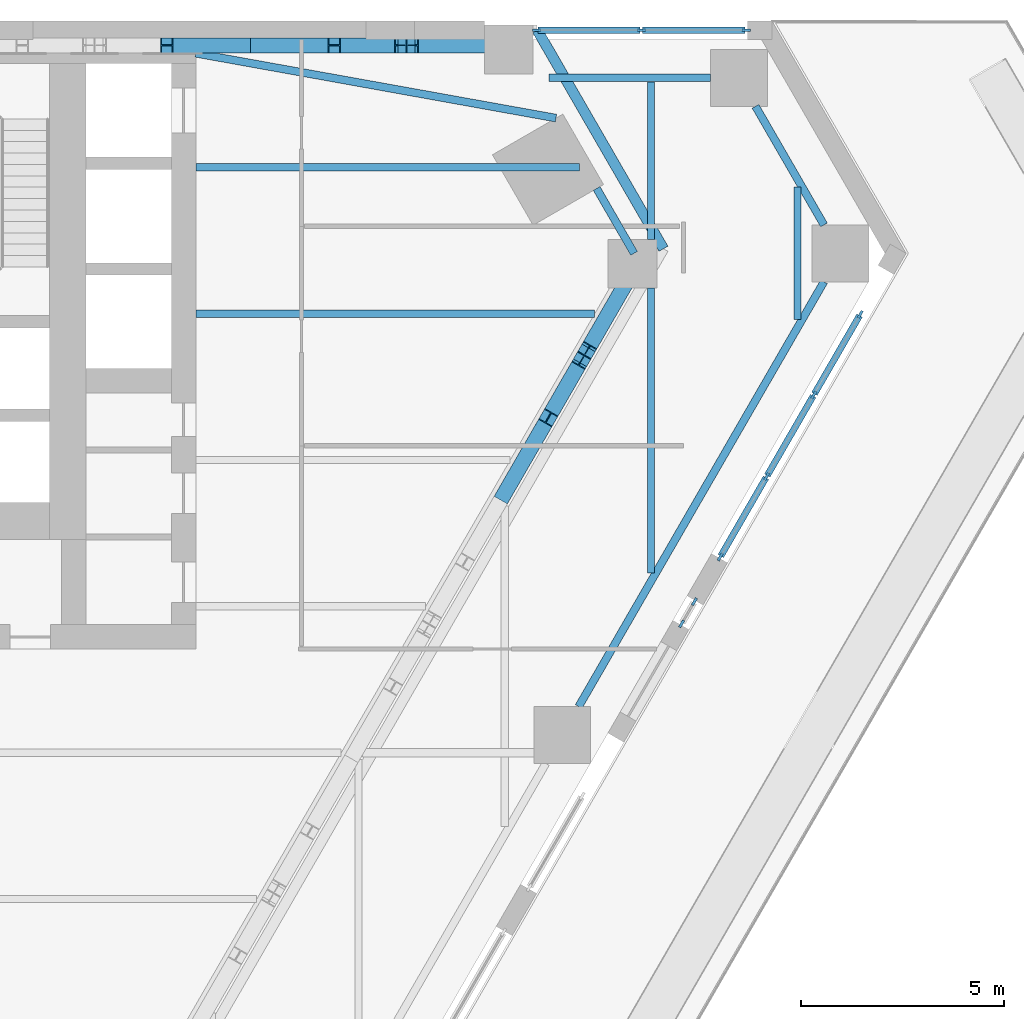
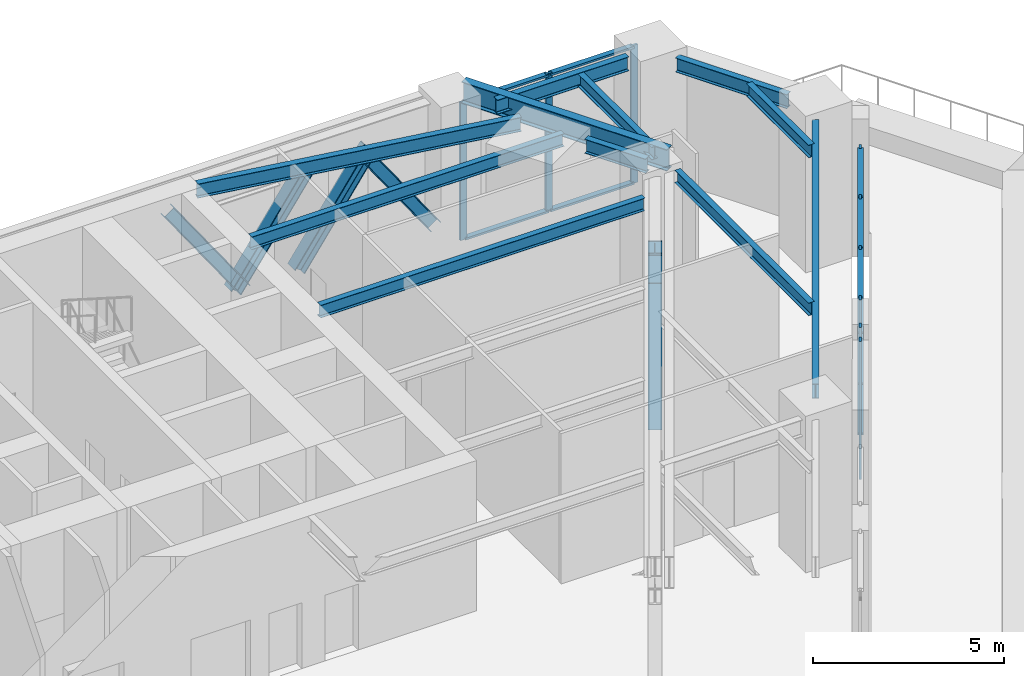
# One storey, part 10 of 25: 26 members, 11 beams, 3 elements without a shape of their own.
"""IFC4 building model written with IfcOpenShell, lengths in metres."""

from ifc_helpers import new_model, si_unit, direction, frame, origin, origin_2d, place, context, subcontext, project, spatial, rectangle, i_section, extrude, material, material_profile, profile_set, type_object, element, aggregate, save


model = new_model("IFC4")

# Units and contexts
model_context = context("Model", 3, precision=1e-05, world=origin(), true_north=direction((0.0, 1.0)))
body_context = subcontext(model_context, "Body", "Model", "MODEL_VIEW")
ifc_project = project(units=[si_unit("LENGTHUNIT", "METRE"), si_unit("AREAUNIT", "SQUARE_METRE"), si_unit("VOLUMEUNIT", "CUBIC_METRE"), si_unit("PLANEANGLEUNIT", "RADIAN"), si_unit("MASSUNIT", "GRAM", prefix="KILO")], contexts=[model_context])

# Site, building, storey
site_placement = place(None, origin())
site = spatial("IfcSite", under=ifc_project, at=site_placement, CompositionType="ELEMENT")
building_placement = place(site_placement, origin())
building = spatial("IfcBuilding", under=site, at=building_placement, Name="Aloe Facet Convention Tower", CompositionType="ELEMENT")
storey_placement = place(building_placement, frame((0.0, 0.0, 30.0)))
storey = spatial("IfcBuildingStorey", under=building, at=storey_placement, Name="L05", CompositionType="ELEMENT", Elevation=30.0)

# Beam
ifc_material_1 = material(Name="Steel S355", Category="steel")
ifc_material_profile_1 = material_profile(ifc_material_1, i_section(OverallWidth=0.25439453125, OverallDepth=0.6875, WebThickness=0.01318359375, FlangeThickness=0.02099609375, FilletRadius=0.01513671875, at=origin_2d()), Name="UB 686x254x152")
ifc_profile_set_1 = profile_set([ifc_material_profile_1], Name="Steel S355")
beam_type_1 = type_object("IfcBeamType", Name="EV-EB-UB686x254x152", PredefinedType="BEAM", material=ifc_profile_set_1)
beam_1_placement = place(storey_placement, frame((105.505126953125, 129.396728515625, 4.456298828125), z_axis=(-0.500016243463, 0.866016025414, 0.0), x_axis=(-0.866016025414, -0.500016243463, 0.0)))
element("IfcBeam", 1, at=beam_1_placement, inside=storey, type_object=beam_type_1, Name="EB-L06-C", PredefinedType="BEAM", context=body_context, shape_type="SweptSolid", body=[
    extrude(i_section(OverallWidth=0.25439453125, OverallDepth=0.6875, WebThickness=0.01318359375, FlangeThickness=0.02099609375, FilletRadius=0.01513671875, at=origin_2d()), origin(), (0.0, 0.0, 1.0), 6.210205078125),
])

# Curtain wall, members
ifc_material_2 = material(Name="Aluminium, anodised", Category="aluminium")
curtain_wall_type = type_object("IfcCurtainWallType", Name="EV-CW-HALL", PredefinedType="USERDEFINED", material=ifc_material_2)
curtain_wall_1_placement = place(storey_placement, origin())
curtain_wall_1 = element("IfcCurtainWall", 2, at=curtain_wall_1_placement, inside=storey, type_object=curtain_wall_type, Name="CW-L05-N02", ObjectType="UNITISED HALL GLAZING", PredefinedType="USERDEFINED")
ifc_material_3 = material(Name="Aluminium, anodised", Category="aluminium")
ifc_material_profile_2 = material_profile(ifc_material_3, rectangle(XDim=0.06494140625, YDim=0.199951171875, at=origin_2d()), Name="AL 65x200")
ifc_profile_set_2 = profile_set([ifc_material_profile_2], Name="Aluminium, anodised")
member_type_1 = type_object("IfcMemberType", Name="EV-MULL-HALL", PredefinedType="MULLION", material=ifc_profile_set_2)
member_1_placement = place(storey_placement, frame((107.541015625, 134.77490234375, -0.300048828125), z_axis=(0.0, 0.0, 1.0), x_axis=(0.0, -1.0, 0.0)))
member_1 = element("IfcMember", 3, at=member_1_placement, type_object=member_type_1, Name="CW-L05-N02 mullion 1", PredefinedType="MULLION", context=body_context, shape_type="SweptSolid", body=[
    extrude(rectangle(XDim=0.06494140625, YDim=0.199951171875, at=origin_2d()), origin(), (0.0, 0.0, 1.0), 4.41259765625),
])
member_2_placement = place(storey_placement, frame((104.961669921875, 134.77490234375, -0.300048828125), z_axis=(0.0, 0.0, 1.0), x_axis=(0.0, -1.0, 0.0)))
member_2 = element("IfcMember", 4, at=member_2_placement, type_object=member_type_1, Name="CW-L05-N02 mullion 2", PredefinedType="MULLION", context=body_context, shape_type="SweptSolid", body=[
    extrude(rectangle(XDim=0.06494140625, YDim=0.199951171875, at=origin_2d()), origin(), (0.0, 0.0, 1.0), 4.41259765625),
])
member_3_placement = place(storey_placement, frame((102.382568359375, 134.77490234375, -0.300048828125), z_axis=(0.0, 0.0, 1.0), x_axis=(0.0, -1.0, 0.0)))
member_3 = element("IfcMember", 5, at=member_3_placement, type_object=member_type_1, Name="CW-L05-N02 mullion 3", PredefinedType="MULLION", context=body_context, shape_type="SweptSolid", body=[
    extrude(rectangle(XDim=0.06494140625, YDim=0.199951171875, at=origin_2d()), origin(), (0.0, 0.0, 1.0), 4.41259765625),
])

curtain_wall_2_placement = place(storey_placement, origin())
curtain_wall_2 = element("IfcCurtainWall", 6, at=curtain_wall_2_placement, inside=storey, type_object=curtain_wall_type, Name="CW-L05-E10B", ObjectType="UNITISED HALL GLAZING", PredefinedType="USERDEFINED")
member_4_placement = place(storey_placement, frame((105.951416015625, 120.169921875, -0.300048828125), z_axis=(0.0, 0.0, 1.0), x_axis=(-0.86602540354, 0.500000000423, 0.0)))
member_4 = element("IfcMember", 7, at=member_4_placement, type_object=member_type_1, Name="CW-L05-E10B mullion 1", PredefinedType="MULLION", context=body_context, shape_type="SweptSolid", body=[
    extrude(rectangle(XDim=0.06494140625, YDim=0.199951171875, at=origin_2d()), origin(), (0.0, 0.0, 1.0), 4.41259765625),
])
member_5_placement = place(storey_placement, frame((106.266845703125, 120.716064453125, -0.300048828125), z_axis=(0.0, 0.0, 1.0), x_axis=(-0.86602540354, 0.500000000423, 0.0)))
member_5 = element("IfcMember", 8, at=member_5_placement, type_object=member_type_1, Name="CW-L05-E10B mullion 2", PredefinedType="MULLION", context=body_context, shape_type="SweptSolid", body=[
    extrude(rectangle(XDim=0.06494140625, YDim=0.199951171875, at=origin_2d()), origin(), (0.0, 0.0, 1.0), 4.41259765625),
])
aggregate(curtain_wall_2, [member_4, member_5])

curtain_wall_3_placement = place(storey_placement, origin())
curtain_wall_3 = element("IfcCurtainWall", 9, at=curtain_wall_3_placement, inside=storey, type_object=curtain_wall_type, Name="CW-L05-E12", ObjectType="UNITISED HALL GLAZING", PredefinedType="USERDEFINED")
member_6_placement = place(storey_placement, frame((106.8994140625, 121.8115234375, -0.300048828125), z_axis=(0.0, 0.0, 1.0), x_axis=(-0.866025403741, 0.500000000076, 0.0)))
member_6 = element("IfcMember", 10, at=member_6_placement, type_object=member_type_1, Name="CW-L05-E12 mullion 1", PredefinedType="MULLION", context=body_context, shape_type="SweptSolid", body=[
    extrude(rectangle(XDim=0.06494140625, YDim=0.199951171875, at=origin_2d()), origin(), (0.0, 0.0, 1.0), 4.41259765625),
])
member_7_placement = place(storey_placement, frame((108.042724609375, 123.7919921875, -0.300048828125), z_axis=(0.0, 0.0, 1.0), x_axis=(-0.866025403741, 0.500000000076, 0.0)))
member_7 = element("IfcMember", 11, at=member_7_placement, type_object=member_type_1, Name="CW-L05-E12 mullion 2", PredefinedType="MULLION", context=body_context, shape_type="SweptSolid", body=[
    extrude(rectangle(XDim=0.06494140625, YDim=0.199951171875, at=origin_2d()), origin(), (0.0, 0.0, 1.0), 4.41259765625),
])
member_8_placement = place(storey_placement, frame((109.202392578125, 125.80078125, -0.300048828125), z_axis=(0.0, 0.0, 1.0), x_axis=(-0.866025403741, 0.500000000076, 0.0)))
member_8 = element("IfcMember", 12, at=member_8_placement, type_object=member_type_1, Name="CW-L05-E12 mullion 3", PredefinedType="MULLION", context=body_context, shape_type="SweptSolid", body=[
    extrude(rectangle(XDim=0.06494140625, YDim=0.199951171875, at=origin_2d()), origin(), (0.0, 0.0, 1.0), 4.41259765625),
])
member_9_placement = place(storey_placement, frame((110.345947265625, 127.78125, -0.300048828125), z_axis=(0.0, 0.0, 1.0), x_axis=(-0.866025403741, 0.500000000076, 0.0)))
member_9 = element("IfcMember", 13, at=member_9_placement, type_object=member_type_1, Name="CW-L05-E12 mullion 4", PredefinedType="MULLION", context=body_context, shape_type="SweptSolid", body=[
    extrude(rectangle(XDim=0.06494140625, YDim=0.199951171875, at=origin_2d()), origin(), (0.0, 0.0, 1.0), 4.41259765625),
])

# Member
ifc_material_4 = material(Name="Aluminium, anodised", Category="aluminium")
ifc_material_profile_3 = material_profile(ifc_material_4, rectangle(XDim=0.159912109375, YDim=0.06494140625, at=origin_2d()), Name="AL 160x65")
ifc_profile_set_3 = profile_set([ifc_material_profile_3], Name="Aluminium, anodised")
member_type_2 = type_object("IfcMemberType", Name="EV-TRAN-HALL", PredefinedType="USERDEFINED", material=ifc_profile_set_3)
member_10_placement = place(storey_placement, frame((107.508544921875, 134.77490234375, -0.267578125), z_axis=(-1.0, 0.0, 0.0), x_axis=(0.0, -1.0, 0.0)))
member_10 = element("IfcMember", 14, at=member_10_placement, type_object=member_type_2, Name="CW-L05-N02 transom 1.1", ObjectType="TRANSOM", PredefinedType="USERDEFINED", context=body_context, shape_type="SweptSolid", body=[
    extrude(rectangle(XDim=0.159912109375, YDim=0.06494140625, at=origin_2d()), origin(), (0.0, 0.0, 1.0), 2.514404296875),
])

member_11_placement = place(storey_placement, frame((107.508544921875, 134.77490234375, 4.080078125), z_axis=(-1.0, 0.0, 0.0), x_axis=(0.0, -1.0, 0.0)))
member_11 = element("IfcMember", 15, at=member_11_placement, type_object=member_type_2, Name="CW-L05-N02 transom 1.2", ObjectType="TRANSOM", PredefinedType="USERDEFINED", context=body_context, shape_type="SweptSolid", body=[
    extrude(rectangle(XDim=0.159912109375, YDim=0.06494140625, at=origin_2d()), origin(), (0.0, 0.0, 1.0), 2.514404296875),
])

member_12_placement = place(storey_placement, frame((104.92919921875, 134.77490234375, -0.267578125), z_axis=(-1.0, 0.0, 0.0), x_axis=(0.0, -1.0, 0.0)))
member_12 = element("IfcMember", 16, at=member_12_placement, type_object=member_type_2, Name="CW-L05-N02 transom 2.1", ObjectType="TRANSOM", PredefinedType="USERDEFINED", context=body_context, shape_type="SweptSolid", body=[
    extrude(rectangle(XDim=0.159912109375, YDim=0.06494140625, at=origin_2d()), origin(), (0.0, 0.0, 1.0), 2.51416015625),
])

member_13_placement = place(storey_placement, frame((104.92919921875, 134.77490234375, 4.080078125), z_axis=(-1.0, 0.0, 0.0), x_axis=(0.0, -1.0, 0.0)))
member_13 = element("IfcMember", 17, at=member_13_placement, type_object=member_type_2, Name="CW-L05-N02 transom 2.2", ObjectType="TRANSOM", PredefinedType="USERDEFINED", context=body_context, shape_type="SweptSolid", body=[
    extrude(rectangle(XDim=0.159912109375, YDim=0.06494140625, at=origin_2d()), origin(), (0.0, 0.0, 1.0), 2.51416015625),
])

aggregate(curtain_wall_1, [member_1, member_2, member_3, member_10, member_11, member_12, member_13])

member_14_placement = place(storey_placement, frame((106.91552734375, 121.839599609375, -0.267578125), z_axis=(0.500026795713, 0.86600993272, 0.0), x_axis=(-0.86600993272, 0.500026795713, 0.0)))
member_14 = element("IfcMember", 18, at=member_14_placement, type_object=member_type_2, Name="CW-L05-E12 transom 1.1", ObjectType="TRANSOM", PredefinedType="USERDEFINED", context=body_context, shape_type="SweptSolid", body=[
    extrude(rectangle(XDim=0.159912109375, YDim=0.06494140625, at=origin_2d()), origin(), (0.0, 0.0, 1.0), 2.22216796875),
])

member_15_placement = place(storey_placement, frame((106.91552734375, 121.839599609375, 4.080078125), z_axis=(0.500026795713, 0.86600993272, 0.0), x_axis=(-0.86600993272, 0.500026795713, 0.0)))
member_15 = element("IfcMember", 19, at=member_15_placement, type_object=member_type_2, Name="CW-L05-E12 transom 1.2", ObjectType="TRANSOM", PredefinedType="USERDEFINED", context=body_context, shape_type="SweptSolid", body=[
    extrude(rectangle(XDim=0.159912109375, YDim=0.06494140625, at=origin_2d()), origin(), (0.0, 0.0, 1.0), 2.22216796875),
])

member_16_placement = place(storey_placement, frame((108.05908203125, 123.820068359375, -0.267578125), z_axis=(0.499994306202, 0.866028691075, 0.0), x_axis=(-0.866028691075, 0.499994306202, 0.0)))
member_16 = element("IfcMember", 20, at=member_16_placement, type_object=member_type_2, Name="CW-L05-E12 transom 2.1", ObjectType="TRANSOM", PredefinedType="USERDEFINED", context=body_context, shape_type="SweptSolid", body=[
    extrude(rectangle(XDim=0.159912109375, YDim=0.06494140625, at=origin_2d()), origin(), (0.0, 0.0, 1.0), 2.25439453125),
])

member_17_placement = place(storey_placement, frame((108.05908203125, 123.820068359375, 4.080078125), z_axis=(0.499994306202, 0.866028691075, 0.0), x_axis=(-0.866028691075, 0.499994306202, 0.0)))
member_17 = element("IfcMember", 21, at=member_17_placement, type_object=member_type_2, Name="CW-L05-E12 transom 2.2", ObjectType="TRANSOM", PredefinedType="USERDEFINED", context=body_context, shape_type="SweptSolid", body=[
    extrude(rectangle(XDim=0.159912109375, YDim=0.06494140625, at=origin_2d()), origin(), (0.0, 0.0, 1.0), 2.25439453125),
])

member_18_placement = place(storey_placement, frame((109.21875, 125.828857421875, -0.267578125), z_axis=(0.499991966744, 0.866030041738, 0.0), x_axis=(-0.866030041738, 0.499991966744, 0.0)))
member_18 = element("IfcMember", 22, at=member_18_placement, type_object=member_type_2, Name="CW-L05-E12 transom 3.1", ObjectType="TRANSOM", PredefinedType="USERDEFINED", context=body_context, shape_type="SweptSolid", body=[
    extrude(rectangle(XDim=0.159912109375, YDim=0.06494140625, at=origin_2d()), origin(), (0.0, 0.0, 1.0), 2.2216796875),
])

member_19_placement = place(storey_placement, frame((109.21875, 125.828857421875, 4.080078125), z_axis=(0.499991966744, 0.866030041738, 0.0), x_axis=(-0.866030041738, 0.499991966744, 0.0)))
member_19 = element("IfcMember", 23, at=member_19_placement, type_object=member_type_2, Name="CW-L05-E12 transom 3.2", ObjectType="TRANSOM", PredefinedType="USERDEFINED", context=body_context, shape_type="SweptSolid", body=[
    extrude(rectangle(XDim=0.159912109375, YDim=0.06494140625, at=origin_2d()), origin(), (0.0, 0.0, 1.0), 2.2216796875),
])

aggregate(curtain_wall_3, [member_6, member_7, member_8, member_9, member_14, member_15, member_16, member_17, member_18, member_19])

# Beams
ifc_material_5 = material(Name="Steel S355", Category="steel")
ifc_material_profile_4 = material_profile(ifc_material_5, i_section(OverallWidth=0.177734375, OverallDepth=0.402587890625, WebThickness=0.0078125, FlangeThickness=0.010986328125, FilletRadius=0.01025390625, at=origin_2d()), Name="UB 406x178x54")
ifc_profile_set_4 = profile_set([ifc_material_profile_4], Name="Steel S355")
beam_type_2 = type_object("IfcBeamType", Name="SF-B-UB406x178x54", PredefinedType="BEAM", material=ifc_profile_set_4)
beam_2_placement = place(storey_placement, frame((105.199951171875, 121.418212890625, 4.5986328125), z_axis=(0.0, 1.0, 0.0), x_axis=(-1.0, 0.0, 0.0)))
element("IfcBeam", 24, at=beam_2_placement, inside=storey, type_object=beam_type_2, Name="Floor beam FB-L06-838", PredefinedType="BEAM", context=body_context, shape_type="SweptSolid", body=[
    extrude(i_section(OverallWidth=0.177734375, OverallDepth=0.402587890625, WebThickness=0.0078125, FlangeThickness=0.010986328125, FilletRadius=0.01025390625, at=origin_2d()), origin(), (0.0, 0.0, 1.0), 7.009765625),
])
beam_3_placement = place(storey_placement, frame((105.199951171875, 129.6279296875, 4.5986328125), z_axis=(0.0, 1.0, 0.0), x_axis=(-1.0, 0.0, 0.0)))
element("IfcBeam", 25, at=beam_3_placement, inside=storey, type_object=beam_type_2, Name="Floor beam FB-L06-839", PredefinedType="BEAM", context=body_context, shape_type="SweptSolid", body=[
    extrude(i_section(OverallWidth=0.177734375, OverallDepth=0.402587890625, WebThickness=0.0078125, FlangeThickness=0.010986328125, FilletRadius=0.01025390625, at=origin_2d()), origin(), (0.0, 0.0, 1.0), 3.8671875),
])
beam_4_placement = place(storey_placement, frame((108.800048828125, 127.653564453125, 4.5986328125), z_axis=(0.0, 1.0, 0.0), x_axis=(-1.0, 0.0, 0.0)))
element("IfcBeam", 26, at=beam_4_placement, inside=storey, type_object=beam_type_2, Name="Floor beam FB-L06-840", PredefinedType="BEAM", context=body_context, shape_type="SweptSolid", body=[
    extrude(i_section(OverallWidth=0.177734375, OverallDepth=0.402587890625, WebThickness=0.0078125, FlangeThickness=0.010986328125, FilletRadius=0.01025390625, at=origin_2d()), origin(), (0.0, 0.0, 1.0), 3.261474609375),
])
beam_5_placement = place(storey_placement, frame((94.0, 127.800048828125, 4.5986328125), z_axis=(1.0, 0.0, 0.0), x_axis=(0.0, 1.0, 0.0)))
element("IfcBeam", 27, at=beam_5_placement, inside=storey, type_object=beam_type_2, Name="Floor beam FB-Z1A-047", PredefinedType="BEAM", context=body_context, shape_type="SweptSolid", body=[
    extrude(i_section(OverallWidth=0.177734375, OverallDepth=0.402587890625, WebThickness=0.0078125, FlangeThickness=0.010986328125, FilletRadius=0.01025390625, at=origin_2d()), origin(), (0.0, 0.0, 1.0), 9.805419921875),
])
beam_6_placement = place(storey_placement, frame((94.0, 131.39990234375, 4.5986328125), z_axis=(1.0, 0.0, 0.0), x_axis=(0.0, 1.0, 0.0)))
element("IfcBeam", 28, at=beam_6_placement, inside=storey, type_object=beam_type_2, Name="Floor beam FB-Z1A-048", PredefinedType="BEAM", context=body_context, shape_type="SweptSolid", body=[
    extrude(i_section(OverallWidth=0.177734375, OverallDepth=0.402587890625, WebThickness=0.0078125, FlangeThickness=0.010986328125, FilletRadius=0.01025390625, at=origin_2d()), origin(), (0.0, 0.0, 1.0), 9.44091796875),
])
ifc_material_6 = material(Name="Steel S355", Category="steel")
ifc_material_profile_5 = material_profile(ifc_material_6, i_section(OverallWidth=0.18994140625, OverallDepth=0.453369140625, WebThickness=0.008544921875, FlangeThickness=0.0126953125, FilletRadius=0.01025390625, at=origin_2d()), Name="UB 457x191x67")
ifc_profile_set_5 = profile_set([ifc_material_profile_5], Name="Steel S355")
beam_type_3 = type_object("IfcBeamType", Name="SF-B-UB457x191x67", PredefinedType="BEAM", material=ifc_profile_set_5)
beam_7_placement = place(storey_placement, frame((102.69189453125, 133.60009765625, 4.5732421875), z_axis=(1.0, 0.0, 0.0), x_axis=(0.0, 1.0, 0.0)))
element("IfcBeam", 29, at=beam_7_placement, inside=storey, type_object=beam_type_3, Name="Floor beam FB-L06-811", PredefinedType="BEAM", context=body_context, shape_type="SweptSolid", body=[
    extrude(i_section(OverallWidth=0.18994140625, OverallDepth=0.453369140625, WebThickness=0.008544921875, FlangeThickness=0.0126953125, FilletRadius=0.01025390625, at=origin_2d()), origin(), (0.0, 0.0, 1.0), 3.97314453125),
])
beam_8_placement = place(storey_placement, frame((107.769287109375, 132.89990234375, 4.5732421875), z_axis=(0.500006981563, -0.86602137294, 0.0), x_axis=(0.86602137294, 0.500006981563, 0.0)))
element("IfcBeam", 30, at=beam_8_placement, inside=storey, type_object=beam_type_3, Name="Floor beam FB-L06-812", PredefinedType="BEAM", context=body_context, shape_type="SweptSolid", body=[
    extrude(i_section(OverallWidth=0.18994140625, OverallDepth=0.453369140625, WebThickness=0.008544921875, FlangeThickness=0.0126953125, FilletRadius=0.01025390625, at=origin_2d()), origin(), (0.0, 0.0, 1.0), 3.3671875),
])
beam_9_placement = place(storey_placement, frame((109.45263671875, 128.583984375, 4.5732421875), z_axis=(-0.49999978494, -0.86602552795, 0.0), x_axis=(0.86602552795, -0.49999978494, 0.0)))
element("IfcBeam", 31, at=beam_9_placement, inside=storey, type_object=beam_type_3, Name="Floor beam FB-L06-813", PredefinedType="BEAM", context=body_context, shape_type="SweptSolid", body=[
    extrude(i_section(OverallWidth=0.18994140625, OverallDepth=0.453369140625, WebThickness=0.008544921875, FlangeThickness=0.0126953125, FilletRadius=0.01025390625, at=origin_2d()), origin(), (0.0, 0.0, 1.0), 12.0654296875),
])
beam_10_placement = place(storey_placement, frame((102.861572265625, 132.610595703125, 4.5732421875), z_axis=(-0.984194951593, 0.177088388265, 0.0), x_axis=(-0.177088388265, -0.984194951593, 0.0)))
element("IfcBeam", 32, at=beam_10_placement, inside=storey, type_object=beam_type_3, Name="Floor beam FB-Z1A-006", PredefinedType="BEAM", context=body_context, shape_type="SweptSolid", body=[
    extrude(i_section(OverallWidth=0.18994140625, OverallDepth=0.453369140625, WebThickness=0.008544921875, FlangeThickness=0.0126953125, FilletRadius=0.01025390625, at=origin_2d()), origin(), (0.0, 0.0, 1.0), 9.00390625),
])
beam_11_placement = place(storey_placement, frame((103.861572265625, 130.878662109375, 4.5732421875), z_axis=(0.499932904579, -0.866064137879, 0.0), x_axis=(0.866064137879, 0.499932904579, 0.0)))
element("IfcBeam", 33, at=beam_11_placement, inside=storey, type_object=beam_type_3, Name="Floor beam FB-Z1A-007", PredefinedType="BEAM", context=body_context, shape_type="SweptSolid", body=[
    extrude(i_section(OverallWidth=0.18994140625, OverallDepth=0.453369140625, WebThickness=0.008544921875, FlangeThickness=0.0126953125, FilletRadius=0.01025390625, at=origin_2d()), origin(), (0.0, 0.0, 1.0), 1.841064453125),
])

# Members
ifc_material_7 = material(Name="Steel S355", Category="steel")
ifc_material_profile_6 = material_profile(ifc_material_7, i_section(OverallWidth=0.374755859375, OverallDepth=0.37451171875, WebThickness=0.0166015625, FlangeThickness=0.027099609375, FilletRadius=0.01513671875, at=origin_2d()), Name="UC 356x368x202")
ifc_profile_set_6 = profile_set([ifc_material_profile_6], Name="Steel S355")
member_type_3 = type_object("IfcMemberType", Name="SF-W-UC356x368x202", PredefinedType="BRACE", material=ifc_profile_set_6)
for number, where, z_axis, x_axis, name in (
    (34, (101.239501953125, 134.39990234375, 0.825927734375), (-0.572330793685, 0.0, 0.82002284273), (0.0, -1.0, 0.0), "Transfer ring diagonal TW-F1-01"),
    (35, (99.3212890625, 134.39990234375, 3.97412109375), (-0.572330793685, 0.0, -0.82002284273), (0.0, -1.0, 0.0), "Transfer ring diagonal TW-F1-02"),
):
    element("IfcMember", number, at=place(storey_placement, frame(where, z_axis=z_axis, x_axis=x_axis)), inside=storey, type_object=member_type_3, Name=name, PredefinedType="BRACE", context=body_context, shape_type="SweptSolid", body=[
        extrude(i_section(OverallWidth=0.374755859375, OverallDepth=0.37451171875, WebThickness=0.0166015625, FlangeThickness=0.027099609375, FilletRadius=0.01513671875, at=origin_2d()), origin(), (0.0, 0.0, 1.0), 3.839111328125),
    ])
for number, where, z_axis, x_axis, name in (
    (36, (97.4033203125, 134.39990234375, 3.97412109375), (-0.572373553203, 0.0, -0.819992997284), (0.0, -1.0, 0.0), "Transfer ring diagonal TW-F1-03"),
    (37, (95.485107421875, 134.39990234375, 0.825927734375), (-0.572373553203, 0.0, 0.819992997284), (0.0, -1.0, 0.0), "Transfer ring diagonal TW-F1-04"),
):
    element("IfcMember", number, at=place(storey_placement, frame(where, z_axis=z_axis, x_axis=x_axis)), inside=storey, type_object=member_type_3, Name=name, PredefinedType="BRACE", context=body_context, shape_type="SweptSolid", body=[
        extrude(i_section(OverallWidth=0.374755859375, OverallDepth=0.37451171875, WebThickness=0.0166015625, FlangeThickness=0.027099609375, FilletRadius=0.01513671875, at=origin_2d()), origin(), (0.0, 0.0, 1.0), 3.83935546875),
    ])
for number, where, z_axis, x_axis, name in (
    (38, (101.57861328125, 123.345947265625, 0.825927734375), (0.285363086299, 0.49417932374, 0.821191028303), (-0.865988583845, 0.500063768584, 0.0), "Transfer ring diagonal TW-F3-20"),
    (39, (102.53369140625, 125.0, 0.825927734375), (0.285304587634, 0.49418830358, 0.821205950344), (-0.866036909293, 0.499980071345, 0.0), "Transfer ring diagonal TW-F3-21"),
    (40, (103.488525390625, 126.65380859375, 3.97412109375), (0.285304587634, 0.49418830358, -0.821205950344), (-0.866036909293, 0.499980071345, 0.0), "Transfer ring diagonal TW-F3-22"),
):
    element("IfcMember", number, at=place(storey_placement, frame(where, z_axis=z_axis, x_axis=x_axis)), inside=storey, type_object=member_type_3, Name=name, PredefinedType="BRACE", context=body_context, shape_type="SweptSolid", body=[
        extrude(i_section(OverallWidth=0.374755859375, OverallDepth=0.37451171875, WebThickness=0.0166015625, FlangeThickness=0.027099609375, FilletRadius=0.01513671875, at=origin_2d()), origin(), (0.0, 0.0, 1.0), 3.833740234375),
    ])

save(model, "model.ifc")
